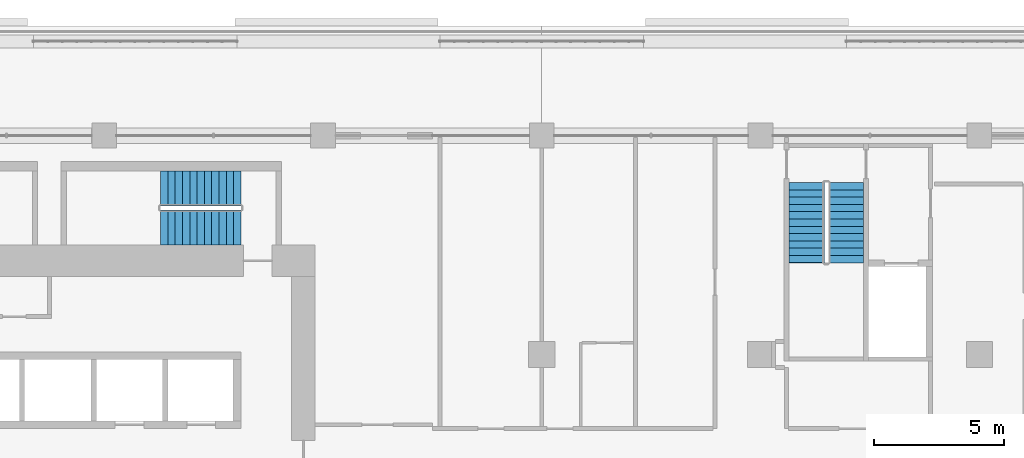
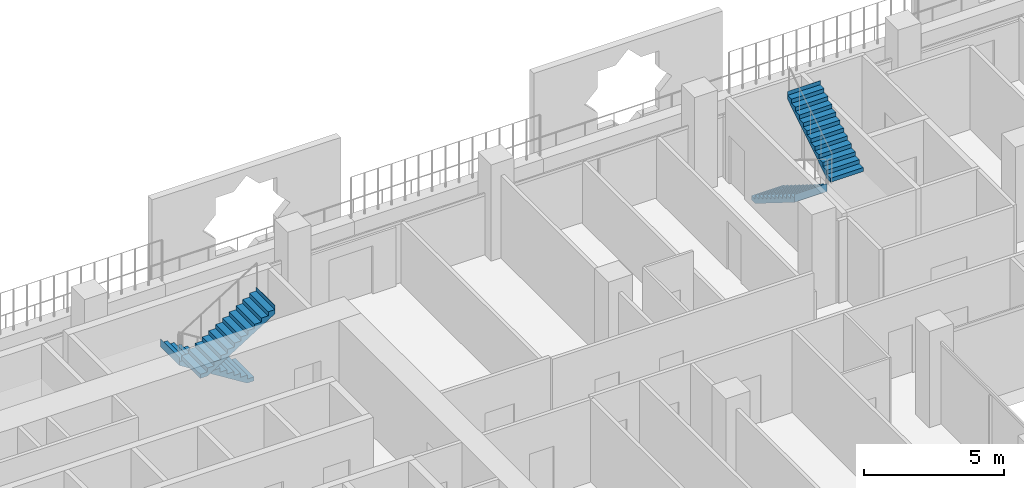
# One storey, part 16 of 24: 4 stair flights, 2 elements without a shape of their own.
"""IFC4 building model written with IfcOpenShell, lengths in metres."""

from ifc_helpers import new_model, si_unit, direction, frame, origin, place, context, subcontext, project, spatial, polyline, outline, extrude, material, type_object, element, aggregate, save


model = new_model("IFC4")

# Units and contexts
model_context = context("Model", 3, precision=1e-05, world=origin(), true_north=direction((0.0, 1.0)))
body_context = subcontext(model_context, "Body", "Model", "MODEL_VIEW")
ifc_project = project(units=[si_unit("LENGTHUNIT", "METRE"), si_unit("AREAUNIT", "SQUARE_METRE"), si_unit("VOLUMEUNIT", "CUBIC_METRE"), si_unit("PLANEANGLEUNIT", "RADIAN"), si_unit("MASSUNIT", "GRAM", prefix="KILO")], contexts=[model_context])

# Site, building, storey
site_placement = place(None, origin())
site = spatial("IfcSite", under=ifc_project, at=site_placement, CompositionType="ELEMENT")
building_placement = place(site_placement, origin())
building = spatial("IfcBuilding", under=site, at=building_placement, Name="Kawkab Arch Medical Tower", CompositionType="ELEMENT")
storey_placement = place(building_placement, frame((0.0, 0.0, 162.60009765625)))
storey = spatial("IfcBuildingStorey", under=building, at=storey_placement, Name="L37", CompositionType="ELEMENT", Elevation=162.60009765625)

# Stair, stair flights
ifc_material_1 = material(Name="Concrete C40/50", Category="concrete")
stair_type = type_object("IfcStairType", Name="Exit stair 1350", PredefinedType="HALF_TURN_STAIR", material=ifc_material_1)
placement = place(storey_placement, origin())
stair_1 = element("IfcStair", 1, at=placement, inside=storey, type_object=stair_type, Name="L37 Exit stair ST4", PredefinedType="HALF_TURN_STAIR")
ifc_material_2 = material(Name="Concrete C40/50", Category="concrete")
stair_flight_type = type_object("IfcStairFlightType", Name="Exit stair flight 1350", PredefinedType="STRAIGHT", material=ifc_material_2)
stair_flight_1_placement = place(storey_placement, frame((22.050048828125, -2.02490234375, 0.0), z_axis=(0.0, 0.0, 1.0), x_axis=(-1.0, 0.0, 0.0)))
stair_flight_1 = element("IfcStairFlight", 2, at=stair_flight_1_placement, type_object=stair_flight_type, Name="ST4 flight 1", NumberOfRisers=12, NumberOfTreads=11, PredefinedType="STRAIGHT", RiserHeight=0.175, TreadLength=0.28, context=body_context, shape_type="SweptSolid", body=[
    extrude(outline(polyline([(-0.0029296875, 0.0), (-0.0029296875, 0.175048828125), (0.0, 0.175048828125), (0.280029296875, 0.175048828125), (0.280029296875, 0.35009765625), (0.56005859375, 0.35009765625), (0.56005859375, 0.52490234375), (0.840087890625, 0.52490234375), (0.840087890625, 0.699951171875), (1.1201171875, 0.699951171875), (1.1201171875, 0.875), (1.39990234375, 0.875), (1.39990234375, 1.050048828125), (1.679931640625, 1.050048828125), (1.679931640625, 1.22509765625), (1.9599609375, 1.22509765625), (1.9599609375, 1.39990234375), (2.239990234375, 1.39990234375), (2.239990234375, 1.574951171875), (2.52001953125, 1.574951171875), (2.52001953125, 1.75), (2.800048828125, 1.75), (2.800048828125, 1.925048828125), (3.080078125, 1.925048828125), (3.080078125, 2.10009765625), (3.0830078125, 2.10009765625), (3.0830078125, 1.748291015625), (3.080078125, 1.748291015625), (0.28271484375, 0.0), (-0.0029296875, 0.0)])), frame((0.0, 0.675048828125, 0.0), z_axis=(0.0, -1.0, 0.0), x_axis=(1.0, 0.0, 0.0)), (0.0, 0.0, 1.0), 1.35009765625),
])
stair_flight_2_placement = place(storey_placement, frame((18.969970703125, -3.52490234375, 2.099853515625), z_axis=(0.0, 0.0, 1.0), x_axis=(1.0, 0.0, 0.0)))
stair_flight_2 = element("IfcStairFlight", 3, at=stair_flight_2_placement, type_object=stair_flight_type, Name="ST4 flight 2", NumberOfRisers=12, NumberOfTreads=11, PredefinedType="STRAIGHT", RiserHeight=0.175, TreadLength=0.28, context=body_context, shape_type="SweptSolid", body=[
    extrude(outline(polyline([(-0.0029296875, 0.0), (-0.0029296875, 0.175048828125), (0.0, 0.175048828125), (0.280029296875, 0.175048828125), (0.280029296875, 0.35009765625), (0.56005859375, 0.35009765625), (0.56005859375, 0.52490234375), (0.840087890625, 0.52490234375), (0.840087890625, 0.699951171875), (1.1201171875, 0.699951171875), (1.1201171875, 0.875), (1.39990234375, 0.875), (1.39990234375, 1.050048828125), (1.679931640625, 1.050048828125), (1.679931640625, 1.22509765625), (1.9599609375, 1.22509765625), (1.9599609375, 1.39990234375), (2.239990234375, 1.39990234375), (2.239990234375, 1.574951171875), (2.52001953125, 1.574951171875), (2.52001953125, 1.75), (2.800048828125, 1.75), (2.800048828125, 1.925048828125), (3.080078125, 1.925048828125), (3.080078125, 2.10009765625), (3.0830078125, 2.10009765625), (3.0830078125, 1.748291015625), (3.080078125, 1.748291015625), (0.28271484375, 0.0), (-0.0029296875, 0.0)])), frame((0.0, 0.675048828125, 0.0), z_axis=(0.0, -1.0, 0.0), x_axis=(1.0, 0.0, 0.0)), (0.0, 0.0, 1.0), 1.35009765625),
])
aggregate(stair_1, [stair_flight_1, stair_flight_2])

stair_2 = element("IfcStair", 4, at=placement, inside=storey, type_object=stair_type, Name="L37 Exit stair ST5", PredefinedType="HALF_TURN_STAIR")
stair_flight_3_placement = place(storey_placement, frame((43.77490234375, -1.800048828125, 0.0), z_axis=(0.0, 0.0, 1.0), x_axis=(0.0, -1.0, 0.0)))
stair_flight_3 = element("IfcStairFlight", 5, at=stair_flight_3_placement, type_object=stair_flight_type, Name="ST5 flight 1", NumberOfRisers=12, NumberOfTreads=11, PredefinedType="STRAIGHT", RiserHeight=0.175, TreadLength=0.28, context=body_context, shape_type="SweptSolid", body=[
    extrude(outline(polyline([(-0.0029296875, 0.0), (-0.0029296875, 0.175048828125), (0.0, 0.175048828125), (0.280029296875, 0.175048828125), (0.280029296875, 0.35009765625), (0.56005859375, 0.35009765625), (0.56005859375, 0.52490234375), (0.840087890625, 0.52490234375), (0.840087890625, 0.699951171875), (1.1201171875, 0.699951171875), (1.1201171875, 0.875), (1.39990234375, 0.875), (1.39990234375, 1.050048828125), (1.679931640625, 1.050048828125), (1.679931640625, 1.22509765625), (1.9599609375, 1.22509765625), (1.9599609375, 1.39990234375), (2.239990234375, 1.39990234375), (2.239990234375, 1.574951171875), (2.52001953125, 1.574951171875), (2.52001953125, 1.75), (2.800048828125, 1.75), (2.800048828125, 1.925048828125), (3.080078125, 1.925048828125), (3.080078125, 2.10009765625), (3.0830078125, 2.10009765625), (3.0830078125, 1.748291015625), (3.080078125, 1.748291015625), (0.28271484375, 0.0), (-0.0029296875, 0.0)])), frame((0.0, 0.675048828125, 0.0), z_axis=(0.0, -1.0, 0.0), x_axis=(1.0, 0.0, 0.0)), (0.0, 0.0, 1.0), 1.35009765625),
])
stair_flight_4_placement = place(storey_placement, frame((45.27490234375, -4.8798828125, 2.099853515625), z_axis=(0.0, 0.0, 1.0), x_axis=(0.0, 1.0, 0.0)))
stair_flight_4 = element("IfcStairFlight", 6, at=stair_flight_4_placement, type_object=stair_flight_type, Name="ST5 flight 2", NumberOfRisers=12, NumberOfTreads=11, PredefinedType="STRAIGHT", RiserHeight=0.175, TreadLength=0.28, context=body_context, shape_type="SweptSolid", body=[
    extrude(outline(polyline([(-0.0029296875, 0.0), (-0.0029296875, 0.175048828125), (0.0, 0.175048828125), (0.280029296875, 0.175048828125), (0.280029296875, 0.35009765625), (0.56005859375, 0.35009765625), (0.56005859375, 0.52490234375), (0.840087890625, 0.52490234375), (0.840087890625, 0.699951171875), (1.1201171875, 0.699951171875), (1.1201171875, 0.875), (1.39990234375, 0.875), (1.39990234375, 1.050048828125), (1.679931640625, 1.050048828125), (1.679931640625, 1.22509765625), (1.9599609375, 1.22509765625), (1.9599609375, 1.39990234375), (2.239990234375, 1.39990234375), (2.239990234375, 1.574951171875), (2.52001953125, 1.574951171875), (2.52001953125, 1.75), (2.800048828125, 1.75), (2.800048828125, 1.925048828125), (3.080078125, 1.925048828125), (3.080078125, 2.10009765625), (3.0830078125, 2.10009765625), (3.0830078125, 1.748291015625), (3.080078125, 1.748291015625), (0.28271484375, 0.0), (-0.0029296875, 0.0)])), frame((0.0, 0.675048828125, 0.0), z_axis=(0.0, -1.0, 0.0), x_axis=(1.0, 0.0, 0.0)), (0.0, 0.0, 1.0), 1.35009765625),
])
aggregate(stair_2, [stair_flight_3, stair_flight_4])

save(model, "model.ifc")
